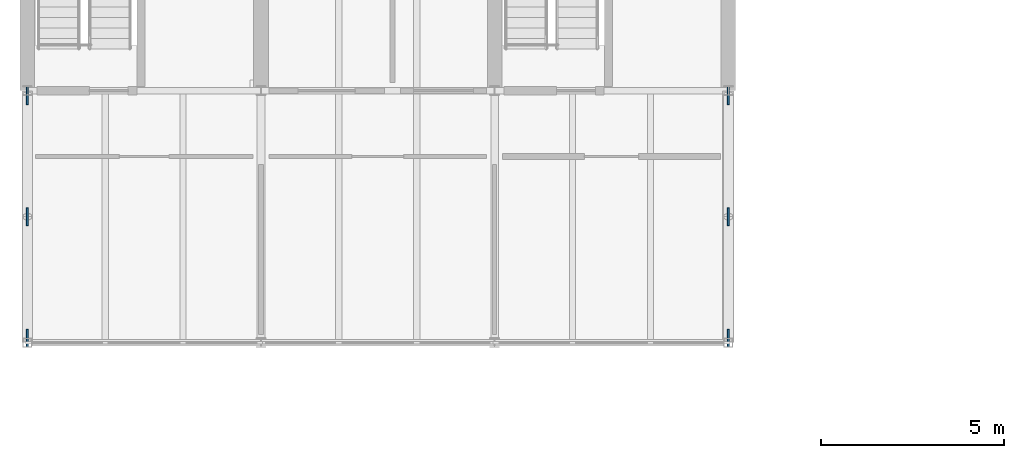
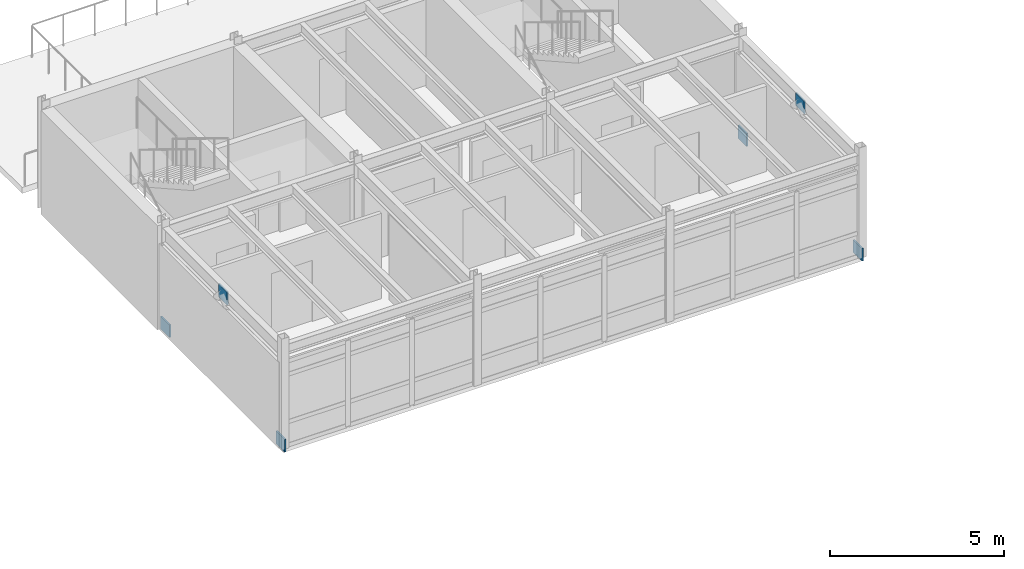
# One storey, part 14 of 20: 6 plates.
"""IFC4 building model written with IfcOpenShell, lengths in metres."""

from ifc_helpers import new_model, si_unit, direction, frame, origin, origin_2d, place, context, subcontext, project, spatial, rectangle, extrude, material, layer, layer_set, type_object, element, save


model = new_model("IFC4")

# Units and contexts
model_context = context("Model", 3, precision=1e-05, world=origin(), true_north=direction((0.0, 1.0)))
body_context = subcontext(model_context, "Body", "Model", "MODEL_VIEW")
ifc_project = project(units=[si_unit("LENGTHUNIT", "METRE"), si_unit("AREAUNIT", "SQUARE_METRE"), si_unit("VOLUMEUNIT", "CUBIC_METRE"), si_unit("PLANEANGLEUNIT", "RADIAN"), si_unit("MASSUNIT", "GRAM", prefix="KILO")], contexts=[model_context])

# Site, building, storey
site_placement = place(None, origin())
site = spatial("IfcSite", under=ifc_project, at=site_placement, CompositionType="ELEMENT")
building_placement = place(site_placement, origin())
building = spatial("IfcBuilding", under=site, at=building_placement, Name="Trelmorton Wharf Fire Station", CompositionType="ELEMENT")
storey_placement = place(building_placement, frame((0.0, 0.0, 21.300048828125)))
storey = spatial("IfcBuildingStorey", under=building, at=storey_placement, Name="L05", CompositionType="ELEMENT", Elevation=21.300048828125)

# Plates
ifc_material = material(Name="Steel Grade 350", Category="steel")
ifc_layer = layer(ifc_material, 0.050048828125)
ifc_layer_set = layer_set([ifc_layer], Name="Steel Grade 350")
plate_type = type_object("IfcPlateType", Name="PL_GUSSET_TN2", PredefinedType="USERDEFINED", material=ifc_layer_set)
for number, where, z_axis, x_axis, name in (
    (1, (70.800048828125, 60.422119140625, -0.10498046875), (0.0, 0.0, 1.0), (1.0, 0.0, 0.0), "PL-CBF-0415"),
    (2, (70.800048828125, 67.072998046875, -0.10498046875), (0.0, 0.0, 1.0), (1.0, 0.0, 0.0), "PL-CBF-0416"),
    (3, (70.800048828125, 63.75, 3.05517578125), (0.0, 0.0, 1.0), (1.0, 0.0, 0.0), "PL-CBF-0417"),
    (4, (90.0, 60.422119140625, -0.10498046875), (0.0, 0.0, 1.0), (1.0, 0.0, 0.0), "PL-CBF-0436"),
    (5, (90.0, 67.072998046875, -0.10498046875), (0.0, 0.0, 1.0), (1.0, 0.0, 0.0), "PL-CBF-0437"),
    (6, (90.0, 63.75, 3.05517578125), (0.0, 0.0, 1.0), (1.0, 0.0, 0.0), "PL-CBF-0438"),
):
    element("IfcPlate", number, at=place(storey_placement, frame(where, z_axis=z_axis, x_axis=x_axis)), inside=storey, type_object=plate_type, Name=name, ObjectType="GUSSET PLATE", PredefinedType="USERDEFINED", context=body_context, shape_type="SweptSolid", body=[
        extrude(rectangle(XDim=0.050048828125, YDim=0.5, at=origin_2d()), origin(), (0.0, 0.0, 1.0), 0.449951171875),
    ])

save(model, "model.ifc")
